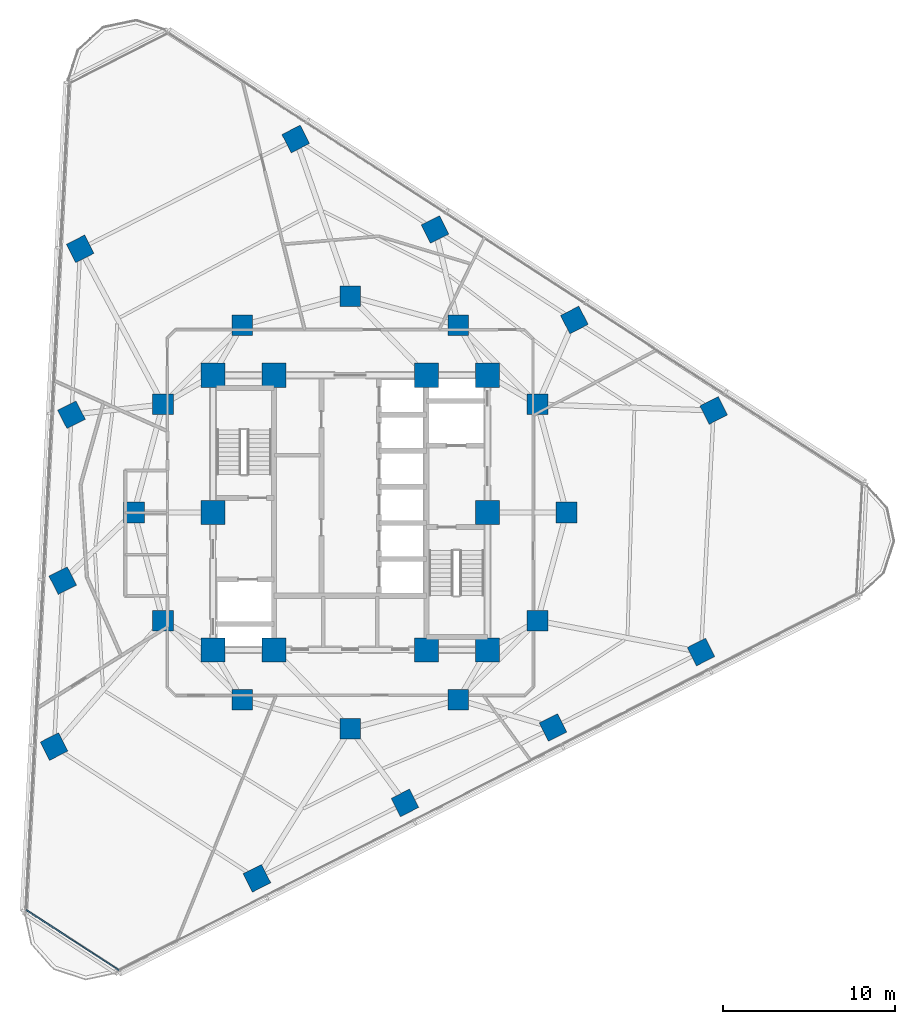
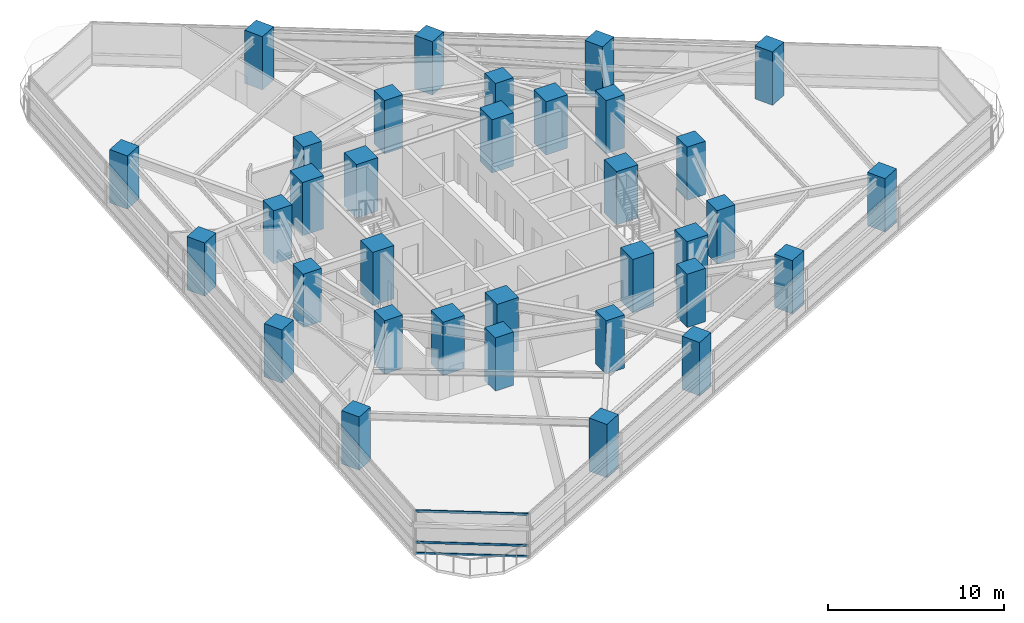
# One storey, part 1 of 14: 34 columns, 3 members, 1 element without a shape of its own.
"""IFC4 building model written with IfcOpenShell, lengths in metres."""

import ifcopenshell
import ifcopenshell.guid

model = None  # the IFC model being written
_history = None  # IfcOwnerHistory: only IFC2X3 demands one
_inside = {}  # id of a spatial element -> (the spatial element, [elements in it])
_under = {}  # id of a project, library or spatial element -> (it, [spatial elements below it])
_declared = {}  # id of a project -> (the project, [libraries it declares])
_typed = {}  # id of a type object -> (the type object, [elements of that type])
_made_of = {}  # id of a material, layer set ... -> (it, [elements and type objects made of it])


def new_model(schema):
    """Start an empty IFC model of exactly this schema.

    Asked for "IFC4X3", IfcOpenShell would pick the latest addendum, in which some entities
    have other attributes; the version numbers below select the first issue.
    IFC2X3 requires an IfcOwnerHistory on every rooted entity: one is made here for all.
    """
    global model, _history
    if schema == "IFC4X3":
        model = ifcopenshell.file(schema_version=(4, 3, 0, 0))
    else:
        model = ifcopenshell.file(schema=schema)
    _inside.clear()
    _under.clear()
    _declared.clear()
    _typed.clear()
    _made_of.clear()
    _history = None
    if model.schema == "IFC2X3":
        org = make("IfcOrganization", Name="unknown")
        user = make(
            "IfcPersonAndOrganization",
            ThePerson=make("IfcPerson", FamilyName="unknown"),
            TheOrganization=org,
        )
        app = make(
            "IfcApplication",
            ApplicationDeveloper=org,
            Version="unknown",
            ApplicationFullName="unknown",
            ApplicationIdentifier="unknown",
        )
        _history = make(
            "IfcOwnerHistory",
            OwningUser=user,
            OwningApplication=app,
            ChangeAction="ADDED",
            CreationDate=0,
        )
    return model


def make(cls, **values):
    """One entity of the class cls with the attributes given. An attribute that is None is left unset."""
    return model.create_entity(
        cls, **{name: value for name, value in values.items() if value is not None}
    )


def rooted(cls, **values):
    """An entity with a GlobalId (a new one), such as an element, a storey or a relation."""
    return make(cls, GlobalId=ifcopenshell.guid.new(), OwnerHistory=_history, **values)


def si_unit(unit_type, name, prefix=None):
    """IfcSIUnit, for example si_unit("LENGTHUNIT", "METRE", prefix="MILLI")."""
    return make("IfcSIUnit", UnitType=unit_type, Prefix=prefix, Name=name)


def assignment(units):
    """IfcUnitAssignment: the units of a project."""
    return None if units is None else make("IfcUnitAssignment", Units=units)


def point(xyz):
    """IfcCartesianPoint."""
    return None if xyz is None else make("IfcCartesianPoint", Coordinates=xyz)


def direction(xyz):
    """IfcDirection."""
    return None if xyz is None else make("IfcDirection", DirectionRatios=xyz)


def frame(location, z_axis=None, x_axis=None):
    """IfcAxis2Placement3D, a coordinate frame: its origin and axes. An axis left out is left unset."""
    return make(
        "IfcAxis2Placement3D",
        Location=point(location),
        Axis=direction(z_axis),
        RefDirection=direction(x_axis),
    )


def frame_2d(location, x_axis=None):
    """IfcAxis2Placement2D, a coordinate frame in the plane: its origin and x axis."""
    return make(
        "IfcAxis2Placement2D", Location=point(location), RefDirection=direction(x_axis)
    )


def origin():
    """The frame at (0, 0, 0) with its axes left unset."""
    return frame((0.0, 0.0, 0.0))


def origin_2d():
    """The frame at (0, 0) in the plane with its x axis left unset."""
    return frame_2d((0.0, 0.0))


def place(relative_to, where):
    """IfcLocalPlacement: puts the frame where relative to a parent placement (None: the world)."""
    return make(
        "IfcLocalPlacement", PlacementRelTo=relative_to, RelativePlacement=where
    )


def context(
    kind, dimensions, precision=None, world=None, true_north=None, identifier=None
):
    """IfcGeometricRepresentationContext, for example the 3D "Model" context."""
    return make(
        "IfcGeometricRepresentationContext",
        ContextIdentifier=identifier,
        ContextType=kind,
        CoordinateSpaceDimension=dimensions,
        Precision=precision,
        WorldCoordinateSystem=world,
        TrueNorth=true_north,
    )


def subcontext(parent, identifier, kind, view, scale=None):
    """IfcGeometricRepresentationSubContext, for example "Body" below "Model"."""
    return make(
        "IfcGeometricRepresentationSubContext",
        ContextIdentifier=identifier,
        ContextType=kind,
        ParentContext=parent,
        TargetScale=scale,
        TargetView=view,
    )


def project(units=None, contexts=None):
    """IfcProject with its units and contexts."""
    return rooted(
        "IfcProject",
        Name="project",
        RepresentationContexts=contexts,
        UnitsInContext=assignment(units),
    )


def spatial(cls, under=None, at=None, **own):
    """A site, building, storey or space (cls), placed at a placement, below another one or the project."""
    s = rooted(cls, ObjectPlacement=at, **own)
    if under is not None:
        _under.setdefault(under.id(), (under, []))[1].append(s)
    return s


def profile(cls, at=None, kind="AREA", **sizes):
    """A parametric profile (cls). Its sizes go by their IFC names, for example OverallWidth=200.0."""
    return make(cls, ProfileType=kind, Position=at, **sizes)


def rectangle(**sizes):
    """IfcRectangleProfileDef."""
    return profile("IfcRectangleProfileDef", **sizes)


def extrude(swept, where, along, depth):
    """IfcExtrudedAreaSolid: the profile swept, set in the frame where, extruded along a direction by depth."""
    return make(
        "IfcExtrudedAreaSolid",
        SweptArea=swept,
        Position=where,
        ExtrudedDirection=direction(along),
        Depth=depth,
    )


def shape(context_of_items, identifier, shape_type, items):
    """IfcShapeRepresentation: the items that make up one representation, for example the "Body"."""
    return make(
        "IfcShapeRepresentation",
        ContextOfItems=context_of_items,
        RepresentationIdentifier=identifier,
        RepresentationType=shape_type,
        Items=items,
    )


def material(Name=None, Category=None):
    """IfcMaterial."""
    return make("IfcMaterial", Name=Name, Category=Category)


def layer(
    of_material, thickness, ventilated=None, Name=None, Category=None, Priority=None
):
    """IfcMaterialLayer: one layer of a wall or slab, of a material (None: an air gap)."""
    return make(
        "IfcMaterialLayer",
        Material=of_material,
        LayerThickness=thickness,
        IsVentilated=ventilated,
        Name=Name,
        Category=Category,
        Priority=Priority,
    )


def layer_set(layers, Name=None):
    """IfcMaterialLayerSet."""
    return make("IfcMaterialLayerSet", MaterialLayers=layers, LayerSetName=Name)


def material_profile(
    of_material, cross_section, Name=None, Category=None, Priority=None
):
    """IfcMaterialProfile: a cross section and its material."""
    return make(
        "IfcMaterialProfile",
        Name=Name,
        Material=of_material,
        Profile=cross_section,
        Priority=Priority,
        Category=Category,
    )


def profile_set(profiles, Name=None, composite=None):
    """IfcMaterialProfileSet."""
    return make(
        "IfcMaterialProfileSet",
        Name=Name,
        MaterialProfiles=profiles,
        CompositeProfile=composite,
    )


def made_of(thing, what):
    """Note that an element or type object is made of a material, layer set ...; save() writes the relation."""
    if what is not None:
        _made_of.setdefault(what.id(), (what, []))[1].append(thing)
    return thing


def type_object(cls, material=None, **own):
    """A type object (cls), such as IfcWallType, which elements share."""
    return made_of(rooted(cls, **own), material)


def element(
    cls,
    number,
    at=None,
    inside=None,
    cuts=None,
    type_object=None,
    material=None,
    context=None,
    identifier="Body",
    shape_type=None,
    held_by="IfcProductDefinitionShape",
    body=None,
    shapes=None,
    **own,
):
    """One element of the class cls, such as IfcWall. Its Tag is "e" and its number.

    at: its placement. inside: the storey or other place that contains it. cuts: it is an
    opening in that element (IfcRelVoidsElement). A single representation is given by context,
    identifier, shape_type and body (its items); several are given by shapes. held_by: the class
    of the entity that holds the representations. save() writes the other relations.
    """
    e = rooted(cls, Tag="e%d" % number, ObjectPlacement=at, **own)
    if body is not None:
        shapes = [shape(context, identifier, shape_type, body)]
    if shapes is not None:
        e.Representation = make(held_by, Representations=shapes)
    if inside is not None:
        _inside.setdefault(inside.id(), (inside, []))[1].append(e)
    if cuts is not None:
        rooted(
            "IfcRelVoidsElement", RelatingBuildingElement=cuts, RelatedOpeningElement=e
        )
    if type_object is not None:
        _typed.setdefault(type_object.id(), (type_object, []))[1].append(e)
    return made_of(e, material)


def aggregate(whole, parts):
    """IfcRelAggregates: a whole, such as a stair, and the parts it consists of."""
    return rooted("IfcRelAggregates", RelatingObject=whole, RelatedObjects=parts)


def save(model, path):
    """Write the relations noted so far, then the file.

    IfcRelAggregates (storeys below a building ...), IfcRelContainedInSpatialStructure (elements
    in a storey), IfcRelDefinesByType, IfcRelAssociatesMaterial and IfcRelDeclares: one each for
    every whole, place, type object, material and project.
    """
    for whole, parts in _under.values():
        aggregate(whole, parts)
    for where, things in _inside.values():
        rooted(
            "IfcRelContainedInSpatialStructure",
            RelatedElements=things,
            RelatingStructure=where,
        )
    for kind, things in _typed.values():
        rooted("IfcRelDefinesByType", RelatedObjects=things, RelatingType=kind)
    for what, things in _made_of.values():
        rooted("IfcRelAssociatesMaterial", RelatedObjects=things, RelatingMaterial=what)
    for by, libraries in _declared.values():
        rooted("IfcRelDeclares", RelatingContext=by, RelatedDefinitions=libraries)
    model.write(path)


model = new_model("IFC4")

# Units and contexts
model_context = context("Model", 3, precision=1e-05, world=origin(), true_north=direction((0.0, 1.0)))
body_context = subcontext(model_context, "Body", "Model", "MODEL_VIEW")
ifc_project = project(units=[si_unit("LENGTHUNIT", "METRE"), si_unit("AREAUNIT", "SQUARE_METRE"), si_unit("VOLUMEUNIT", "CUBIC_METRE"), si_unit("PLANEANGLEUNIT", "RADIAN"), si_unit("MASSUNIT", "GRAM", prefix="KILO")], contexts=[model_context])

# Site, building, storey
site_placement = place(None, origin())
site = spatial("IfcSite", under=ifc_project, at=site_placement, CompositionType="ELEMENT")
building_placement = place(site_placement, origin())
building = spatial("IfcBuilding", under=site, at=building_placement, Name="Terralouvre Media Tower", CompositionType="ELEMENT")
storey_placement = place(building_placement, frame((0.0, 0.0, 138.39990234375)))
storey = spatial("IfcBuildingStorey", under=building, at=storey_placement, Name="L35", CompositionType="ELEMENT", Elevation=138.39990234375)

# Columns
ifc_material_1 = material(Name="Concrete C60/75", Category="concrete")
ifc_material_profile_1 = material_profile(ifc_material_1, rectangle(XDim=1.199951171875, YDim=1.199951171875, at=origin_2d()), Name="RC 1200x1200")
ifc_profile_set_1 = profile_set([ifc_material_profile_1], Name="Concrete C60/75")
column_type_1 = type_object("IfcColumnType", Name="Structural Column C-RC1200 (RC 1200x1200)", PredefinedType="COLUMN", material=ifc_profile_set_1)
for number, where, z_axis, x_axis, name in (
    (1, (12.60009765625, 0.0, 0.0), (0.0, 0.0, 1.0), (1.0, 0.0, 0.0), "L35 Mega-Frame Column MC01"),
    (2, (10.911865234375, 6.300048828125, 0.0), (0.0, 0.0, 1.0), (1.0, 0.0, 0.0), "L35 Mega-Frame Column MC02"),
    (3, (6.300048828125, 10.911865234375, 0.0), (0.0, 0.0, 1.0), (1.0, 0.0, 0.0), "L35 Mega-Frame Column MC03"),
    (4, (0.0, 12.60009765625, 0.0), (0.0, 0.0, 1.0), (1.0, 0.0, 0.0), "L35 Mega-Frame Column MC04"),
    (5, (-6.300048828125, 10.911865234375, 0.0), (0.0, 0.0, 1.0), (1.0, 0.0, 0.0), "L35 Mega-Frame Column MC05"),
    (6, (-10.911865234375, 6.300048828125, 0.0), (0.0, 0.0, 1.0), (1.0, 0.0, 0.0), "L35 Mega-Frame Column MC06"),
    (7, (-12.60009765625, 0.0, 0.0), (0.0, 0.0, 1.0), (1.0, 0.0, 0.0), "L35 Mega-Frame Column MC07"),
    (8, (-10.911865234375, -6.300048828125, 0.0), (0.0, 0.0, 1.0), (1.0, 0.0, 0.0), "L35 Mega-Frame Column MC08"),
    (9, (-6.300048828125, -10.911865234375, 0.0), (0.0, 0.0, 1.0), (1.0, 0.0, 0.0), "L35 Mega-Frame Column MC09"),
    (10, (0.0, -12.60009765625, 0.0), (0.0, 0.0, 1.0), (1.0, 0.0, 0.0), "L35 Mega-Frame Column MC10"),
    (11, (6.300048828125, -10.911865234375, 0.0), (0.0, 0.0, 1.0), (1.0, 0.0, 0.0), "L35 Mega-Frame Column MC11"),
    (12, (10.911865234375, -6.300048828125, 0.0), (0.0, 0.0, 1.0), (1.0, 0.0, 0.0), "L35 Mega-Frame Column MC12"),
    (13, (-5.4365234375, -21.31298828125, 0.0), (0.0, 0.0, 1.0), (0.891006524188, 0.45399049974, 0.0), "L35 Perimeter Mega-Column PC11"),
    (14, (3.188232421875, -16.91845703125, 0.0), (0.0, 0.0, 1.0), (0.891006524188, 0.45399049974, 0.0), "L35 Perimeter Mega-Column PC12"),
    (15, (11.813232421875, -12.523681640625, 0.0), (0.0, 0.0, 1.0), (0.891006524188, 0.45399049974, 0.0), "L35 Perimeter Mega-Column PC13"),
    (16, (20.438232421875, -8.129150390625, 0.0), (0.0, 0.0, 1.0), (0.891006524188, 0.45399049974, 0.0), "L35 Perimeter Mega-Column PC14"),
    (17, (21.176025390625, 5.9482421875, 0.0), (0.0, 0.0, 1.0), (0.891006524188, 0.45399049974, 0.0), "L35 Perimeter Mega-Column PC21"),
    (18, (13.0576171875, 11.220458984375, 0.0), (0.0, 0.0, 1.0), (0.891006524188, 0.45399049974, 0.0), "L35 Perimeter Mega-Column PC22"),
    (19, (4.939208984375, 16.492431640625, 0.0), (0.0, 0.0, 1.0), (0.891006524188, 0.45399049974, 0.0), "L35 Perimeter Mega-Column PC23"),
    (20, (-3.178955078125, 21.7646484375, 0.0), (0.0, 0.0, 1.0), (0.891006524188, 0.45399049974, 0.0), "L35 Perimeter Mega-Column PC24"),
    (21, (-15.7392578125, 15.36474609375, 0.0), (0.0, 0.0, 1.0), (0.891006524188, 0.45399049974, 0.0), "L35 Perimeter Mega-Column PC31"),
    (22, (-16.245849609375, 5.697998046875, 0.0), (0.0, 0.0, 1.0), (0.891006524188, 0.45399049974, 0.0), "L35 Perimeter Mega-Column PC32"),
    (23, (-16.75244140625, -3.96875, 0.0), (0.0, 0.0, 1.0), (0.891006524188, 0.45399049974, 0.0), "L35 Perimeter Mega-Column PC33"),
    (24, (-17.259033203125, -13.635498046875, 0.0), (0.0, 0.0, 1.0), (0.891006524188, 0.45399049974, 0.0), "L35 Perimeter Mega-Column PC34"),
):
    element("IfcColumn", number, at=place(storey_placement, frame(where, z_axis=z_axis, x_axis=x_axis)), inside=storey, type_object=column_type_1, Name=name, PredefinedType="COLUMN", context=body_context, shape_type="SweptSolid", body=[
        extrude(rectangle(XDim=1.199951171875, YDim=1.199951171875, at=origin_2d()), origin(), (0.0, 0.0, 1.0), 3.7001953125),
    ])
ifc_material_2 = material(Name="Concrete C60/75", Category="concrete")
ifc_material_profile_2 = material_profile(ifc_material_2, rectangle(XDim=1.39990234375, YDim=1.39990234375, at=origin_2d()), Name="RC 1400x1400")
ifc_profile_set_2 = profile_set([ifc_material_profile_2], Name="Concrete C60/75")
column_type_2 = type_object("IfcColumnType", Name="Structural Column C-RC1400 (RC 1400x1400)", PredefinedType="COLUMN", material=ifc_profile_set_2)
for number, where, z_axis, x_axis, name in (
    (25, (-8.0, -8.0, 0.0), (0.0, 0.0, 1.0), (1.0, 0.0, 0.0), "L35 Core Pilaster Column CP1"),
    (26, (-4.449951171875, -8.0, 0.0), (0.0, 0.0, 1.0), (1.0, 0.0, 0.0), "L35 Core Pilaster Column CP2"),
    (27, (4.449951171875, -8.0, 0.0), (0.0, 0.0, 1.0), (1.0, 0.0, 0.0), "L35 Core Pilaster Column CP10"),
    (28, (8.0, -8.0, 0.0), (0.0, 0.0, 1.0), (1.0, 0.0, 0.0), "L35 Core Pilaster Column CP3"),
    (29, (8.0, 0.0, 0.0), (0.0, 0.0, 1.0), (1.0, 0.0, 0.0), "L35 Core Pilaster Column CP4"),
    (30, (8.0, 8.0, 0.0), (0.0, 0.0, 1.0), (1.0, 0.0, 0.0), "L35 Core Pilaster Column CP5"),
    (31, (4.449951171875, 8.0, 0.0), (0.0, 0.0, 1.0), (1.0, 0.0, 0.0), "L35 Core Pilaster Column CP9"),
    (32, (-4.449951171875, 8.0, 0.0), (0.0, 0.0, 1.0), (1.0, 0.0, 0.0), "L35 Core Pilaster Column CP6"),
    (33, (-8.0, 8.0, 0.0), (0.0, 0.0, 1.0), (1.0, 0.0, 0.0), "L35 Core Pilaster Column CP7"),
    (34, (-8.0, 0.0, 0.0), (0.0, 0.0, 1.0), (1.0, 0.0, 0.0), "L35 Core Pilaster Column CP8"),
):
    element("IfcColumn", number, at=place(storey_placement, frame(where, z_axis=z_axis, x_axis=x_axis)), inside=storey, type_object=column_type_2, Name=name, PredefinedType="COLUMN", context=body_context, shape_type="SweptSolid", body=[
        extrude(rectangle(XDim=1.39990234375, YDim=1.39990234375, at=origin_2d()), origin(), (0.0, 0.0, 1.0), 3.7001953125),
    ])

# Curtain wall, members
ifc_material_3 = material(Name="Low-iron laminated double glazing with solar-control coating", Category="glass")
ifc_layer = layer(ifc_material_3, 0.1650390625, Name="Rounded Wind-Corner Curved Glazing CW-04")
ifc_layer_set = layer_set([ifc_layer], Name="Low-iron laminated double glazing with solar-control coating")
curtain_wall_type = type_object("IfcCurtainWallType", Name="Rounded Wind-Corner Curved Glazing CW-04", PredefinedType="NOTDEFINED", material=ifc_layer_set)
curtain_wall_placement = place(storey_placement, origin())
curtain_wall = element("IfcCurtainWall", 35, at=curtain_wall_placement, inside=storey, type_object=curtain_wall_type, Name="L35 Rounded Wind-Corner Curtain Wall C0", PredefinedType="NOTDEFINED")
ifc_material_4 = material(Name="Anodised extruded aluminium 6063-T6", Category="aluminium")
ifc_material_profile_3 = material_profile(ifc_material_4, rectangle(XDim=0.074951171875, YDim=0.14990234375, at=origin_2d()), Name="ALU 75x150")
ifc_profile_set_3 = profile_set([ifc_material_profile_3], Name="Anodised extruded aluminium 6063-T6")
member_type = type_object("IfcMemberType", Name="Curtain-Wall Horizontal Transom TR-150", PredefinedType="USERDEFINED", material=ifc_profile_set_3)
member_1_placement = place(storey_placement, frame((-18.875, -23.16015625, 0.03759765625), z_axis=(0.838682024338, -0.544621393311, 0.0), x_axis=(0.544621393311, 0.838682024338, 0.0)))
member_1 = element("IfcMember", 36, at=member_1_placement, type_object=member_type, Name="CW-04 transom 1.1", ObjectType="TRANSOM", PredefinedType="USERDEFINED", context=body_context, shape_type="SweptSolid", body=[
    extrude(rectangle(XDim=0.074951171875, YDim=0.14990234375, at=origin_2d()), origin(), (0.0, 0.0, 1.0), 6.431884765625),
])
member_2_placement = place(storey_placement, frame((-18.875, -23.16015625, 0.800048828125), z_axis=(0.838682024338, -0.544621393311, 0.0), x_axis=(0.544621393311, 0.838682024338, 0.0)))
member_2 = element("IfcMember", 37, at=member_2_placement, type_object=member_type, Name="CW-04 transom 1.2", ObjectType="TRANSOM", PredefinedType="USERDEFINED", context=body_context, shape_type="SweptSolid", body=[
    extrude(rectangle(XDim=0.074951171875, YDim=0.14990234375, at=origin_2d()), origin(), (0.0, 0.0, 1.0), 6.431884765625),
])
member_3_placement = place(storey_placement, frame((-18.875, -23.16015625, 2.962646484375), z_axis=(0.838682024338, -0.544621393311, 0.0), x_axis=(0.544621393311, 0.838682024338, 0.0)))
member_3 = element("IfcMember", 38, at=member_3_placement, type_object=member_type, Name="CW-04 transom 1.3", ObjectType="TRANSOM", PredefinedType="USERDEFINED", context=body_context, shape_type="SweptSolid", body=[
    extrude(rectangle(XDim=0.074951171875, YDim=0.14990234375, at=origin_2d()), origin(), (0.0, 0.0, 1.0), 6.431884765625),
])
aggregate(curtain_wall, [member_1, member_2, member_3])

save(model, "model.ifc")
